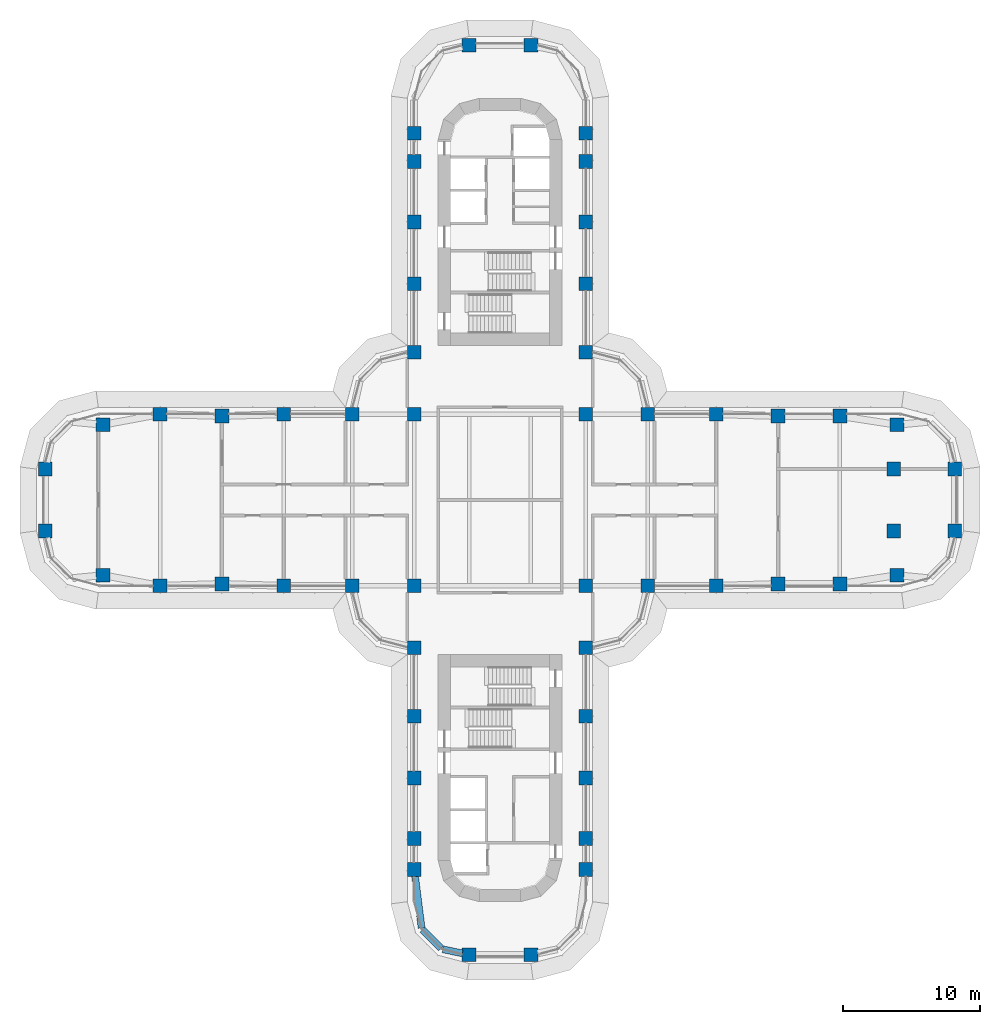
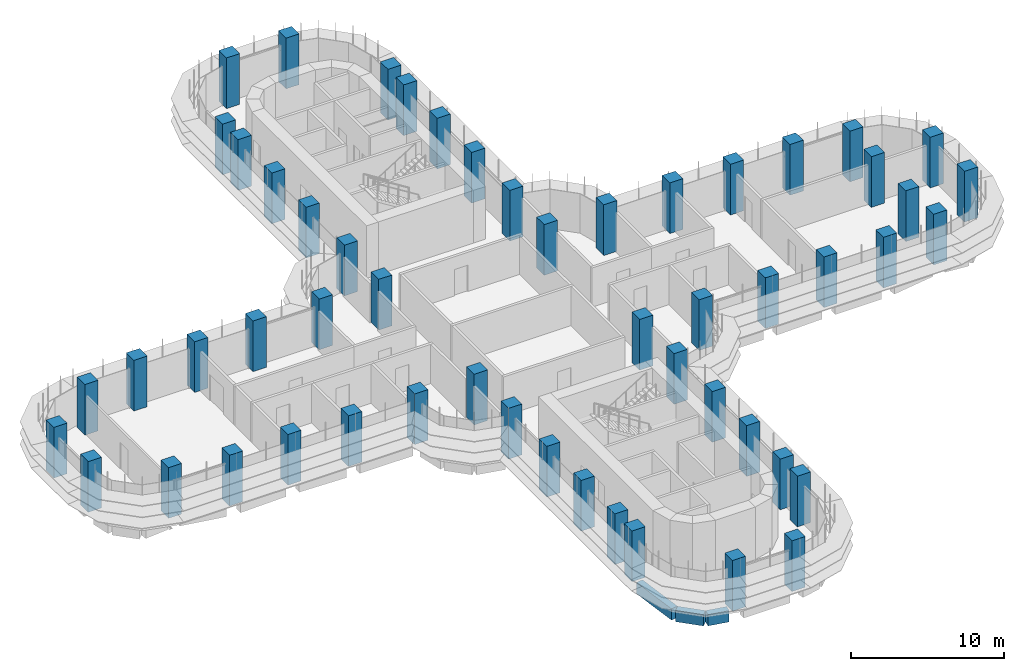
# One storey, part 1 of 23: 54 columns, 3 beams.
"""IFC4 building model written with IfcOpenShell, lengths in metres."""

from ifc_helpers import new_model, si_unit, direction, frame, origin, origin_2d, place, context, subcontext, project, spatial, rectangle, extrude, material, material_profile, profile_set, type_object, element, save


model = new_model("IFC4")

# Units and contexts
model_context = context("Model", 3, precision=1e-05, world=origin(), true_north=direction((0.0, 1.0)))
body_context = subcontext(model_context, "Body", "Model", "MODEL_VIEW")
ifc_project = project(units=[si_unit("LENGTHUNIT", "METRE"), si_unit("AREAUNIT", "SQUARE_METRE"), si_unit("VOLUMEUNIT", "CUBIC_METRE"), si_unit("PLANEANGLEUNIT", "RADIAN"), si_unit("MASSUNIT", "GRAM", prefix="KILO")], contexts=[model_context])

# Site, building, storey
site_placement = place(None, origin())
site = spatial("IfcSite", under=ifc_project, at=site_placement, CompositionType="ELEMENT")
building_placement = place(site_placement, origin())
building = spatial("IfcBuilding", under=site, at=building_placement, Name="Zarbagh Exchange Tower", CompositionType="ELEMENT")
storey_placement = place(building_placement, frame((0.0, 0.0, 52.199951171875)))
storey = spatial("IfcBuildingStorey", under=building, at=storey_placement, Name="L11", CompositionType="ELEMENT", Elevation=52.199951171875)

# Columns
ifc_material = material(Name="Concrete C60/75", Category="concrete")
ifc_material_profile_1 = material_profile(ifc_material, rectangle(XDim=1.0, YDim=1.0, at=origin_2d()), Name="RC column 1000 x 1000 C60/75")
ifc_profile_set_1 = profile_set([ifc_material_profile_1], Name="Concrete C60/75")
column_type = type_object("IfcColumnType", Name="RC column 1000 x 1000 C60/75", PredefinedType="COLUMN", material=ifc_profile_set_1)
for number, where, z_axis, x_axis, name in (
    (1, (-33.110107421875, -2.25, 0.0), (0.0, 0.0, 1.0), (1.0, 0.0, 0.0), "C2 10/S"),
    (2, (-33.110107421875, 2.25, 0.0), (0.0, 0.0, 1.0), (1.0, 0.0, 0.0), "C2 10/T"),
    (3, (-28.907958984375, -5.47509765625, 0.0), (0.0, 0.0, 1.0), (1.0, 0.0, 0.0), "C2 11/R"),
    (4, (-28.907958984375, 5.47509765625, 0.0), (0.0, 0.0, 1.0), (1.0, 0.0, 0.0), "C2 11/U"),
    (5, (-24.75, -6.25, 0.0), (0.0, 0.0, 1.0), (1.0, 0.0, 0.0), "C2 12/R"),
    (6, (-24.75, 6.25, 0.0), (0.0, 0.0, 1.0), (1.0, 0.0, 0.0), "C2 12/U"),
    (7, (-20.25, -6.110107421875, 0.0), (0.0, 0.0, 1.0), (1.0, 0.0, 0.0), "C2 13/R"),
    (8, (-20.25, 6.110107421875, 0.0), (0.0, 0.0, 1.0), (1.0, 0.0, 0.0), "C2 13/U"),
    (9, (-15.75, -6.25, 0.0), (0.0, 0.0, 1.0), (1.0, 0.0, 0.0), "C2 14/R"),
    (10, (-15.75, 6.25, 0.0), (0.0, 0.0, 1.0), (1.0, 0.0, 0.0), "C2 14/U"),
    (11, (-10.75, -6.25, 0.0), (0.0, 0.0, 1.0), (1.0, 0.0, 0.0), "C2 15/R"),
    (12, (-10.75, 6.25, 0.0), (0.0, 0.0, 1.0), (1.0, 0.0, 0.0), "C2 15/U"),
    (13, (-6.25, -26.89990234375, 0.0), (0.0, 0.0, 1.0), (1.0, 0.0, 0.0), "C2 16/L"),
    (14, (-6.25, -24.64990234375, 0.0), (0.0, 0.0, 1.0), (1.0, 0.0, 0.0), "C2 16/M"),
    (15, (-6.25, -20.25, 0.0), (0.0, 0.0, 1.0), (1.0, 0.0, 0.0), "C2 16/N"),
    (16, (-6.25, -15.75, 0.0), (0.0, 0.0, 1.0), (1.0, 0.0, 0.0), "C2 16/P"),
    (17, (-6.25, -10.75, 0.0), (0.0, 0.0, 1.0), (1.0, 0.0, 0.0), "C2 16/Q"),
    (18, (-6.25, -6.25, 0.0), (0.0, 0.0, 1.0), (1.0, 0.0, 0.0), "C2 16/R"),
    (19, (-6.25, 6.25, 0.0), (0.0, 0.0, 1.0), (1.0, 0.0, 0.0), "C2 16/U"),
    (20, (-6.25, 10.75, 0.0), (0.0, 0.0, 1.0), (1.0, 0.0, 0.0), "C2 16/V"),
    (21, (-6.25, 15.75, 0.0), (0.0, 0.0, 1.0), (1.0, 0.0, 0.0), "C2 16/W"),
    (22, (-6.25, 20.25, 0.0), (0.0, 0.0, 1.0), (1.0, 0.0, 0.0), "C2 16/X"),
    (23, (-6.25, 24.64990234375, 0.0), (0.0, 0.0, 1.0), (1.0, 0.0, 0.0), "C2 16/Y"),
    (24, (-6.25, 26.699951171875, 0.0), (0.0, 0.0, 1.0), (1.0, 0.0, 0.0), "C2 16/Z"),
    (25, (-2.25, -33.110107421875, 0.0), (0.0, 0.0, 1.0), (1.0, 0.0, 0.0), "C2 17/K"),
    (26, (-2.25, 33.110107421875, 0.0), (0.0, 0.0, 1.0), (1.0, 0.0, 0.0), "C2 17/AA"),
    (27, (2.25, -33.110107421875, 0.0), (0.0, 0.0, 1.0), (1.0, 0.0, 0.0), "C2 18/K"),
    (28, (2.25, 33.110107421875, 0.0), (0.0, 0.0, 1.0), (1.0, 0.0, 0.0), "C2 18/AA"),
    (29, (6.25, -26.89990234375, 0.0), (0.0, 0.0, 1.0), (1.0, 0.0, 0.0), "C2 19/L"),
    (30, (6.25, -24.64990234375, 0.0), (0.0, 0.0, 1.0), (1.0, 0.0, 0.0), "C2 19/M"),
    (31, (6.25, -20.25, 0.0), (0.0, 0.0, 1.0), (1.0, 0.0, 0.0), "C2 19/N"),
    (32, (6.25, -15.75, 0.0), (0.0, 0.0, 1.0), (1.0, 0.0, 0.0), "C2 19/P"),
    (33, (6.25, -10.75, 0.0), (0.0, 0.0, 1.0), (1.0, 0.0, 0.0), "C2 19/Q"),
    (34, (6.25, -6.25, 0.0), (0.0, 0.0, 1.0), (1.0, 0.0, 0.0), "C2 19/R"),
    (35, (6.25, 6.25, 0.0), (0.0, 0.0, 1.0), (1.0, 0.0, 0.0), "C2 19/U"),
    (36, (6.25, 10.75, 0.0), (0.0, 0.0, 1.0), (1.0, 0.0, 0.0), "C2 19/V"),
    (37, (6.25, 15.75, 0.0), (0.0, 0.0, 1.0), (1.0, 0.0, 0.0), "C2 19/W"),
    (38, (6.25, 20.25, 0.0), (0.0, 0.0, 1.0), (1.0, 0.0, 0.0), "C2 19/X"),
    (39, (6.25, 24.64990234375, 0.0), (0.0, 0.0, 1.0), (1.0, 0.0, 0.0), "C2 19/Y"),
    (40, (6.25, 26.699951171875, 0.0), (0.0, 0.0, 1.0), (1.0, 0.0, 0.0), "C2 19/Z"),
    (41, (10.75, -6.25, 0.0), (0.0, 0.0, 1.0), (1.0, 0.0, 0.0), "C2 20/R"),
    (42, (10.75, 6.25, 0.0), (0.0, 0.0, 1.0), (1.0, 0.0, 0.0), "C2 20/U"),
    (43, (15.75, -6.25, 0.0), (0.0, 0.0, 1.0), (1.0, 0.0, 0.0), "C2 21/R"),
    (44, (15.75, 6.25, 0.0), (0.0, 0.0, 1.0), (1.0, 0.0, 0.0), "C2 21/U"),
    (45, (20.25, -6.110107421875, 0.0), (0.0, 0.0, 1.0), (1.0, 0.0, 0.0), "C2 22/R"),
    (46, (20.25, 6.110107421875, 0.0), (0.0, 0.0, 1.0), (1.0, 0.0, 0.0), "C2 22/U"),
    (47, (24.75, -6.110107421875, 0.0), (0.0, 0.0, 1.0), (1.0, 0.0, 0.0), "C2 23/R"),
    (48, (24.75, 6.110107421875, 0.0), (0.0, 0.0, 1.0), (1.0, 0.0, 0.0), "C2 23/U"),
    (49, (28.907958984375, -5.47509765625, 0.0), (0.0, 0.0, 1.0), (1.0, 0.0, 0.0), "C2 24/R"),
    (50, (28.669921875, -2.25, 0.0), (0.0, 0.0, 1.0), (1.0, 0.0, 0.0), "C2 24/S"),
    (51, (28.669921875, 2.25, 0.0), (0.0, 0.0, 1.0), (1.0, 0.0, 0.0), "C2 24/T"),
    (52, (28.907958984375, 5.47509765625, 0.0), (0.0, 0.0, 1.0), (1.0, 0.0, 0.0), "C2 24/U"),
    (53, (33.110107421875, -2.25, 0.0), (0.0, 0.0, 1.0), (1.0, 0.0, 0.0), "C2 25/S"),
    (54, (33.110107421875, 2.25, 0.0), (0.0, 0.0, 1.0), (1.0, 0.0, 0.0), "C2 25/T"),
):
    element("IfcColumn", number, at=place(storey_placement, frame(where, z_axis=z_axis, x_axis=x_axis)), inside=storey, type_object=column_type, Name=name, PredefinedType="COLUMN", context=body_context, shape_type="SweptSolid", body=[
        extrude(rectangle(XDim=1.0, YDim=1.0, at=origin_2d()), origin(), (0.0, 0.0, 1.0), 4.050048828125),
    ])

# Beams
ifc_material_profile_2 = material_profile(ifc_material, rectangle(XDim=0.5, YDim=0.89990234375, at=origin_2d()), Name="RC spandrel beam 500 x 900 C60/75")
ifc_profile_set_2 = profile_set([ifc_material_profile_2], Name="Concrete C60/75")
beam_type = type_object("IfcBeamType", Name="RC spandrel beam 500 x 900 C60/75", PredefinedType="SPANDREL", material=ifc_profile_set_2)
beam_1_placement = place(storey_placement, frame((-2.73974609375, -33.0087890625, -0.599853515625), z_axis=(-0.9793713725, 0.202068589164, 0.0), x_axis=(-0.202068589164, -0.9793713725, 0.0)))
element("IfcBeam", 55, at=beam_1_placement, inside=storey, type_object=beam_type, Name="RC spandrel beam", PredefinedType="SPANDREL", context=body_context, shape_type="SweptSolid", body=[
    extrude(rectangle(XDim=0.5, YDim=0.89990234375, at=origin_2d()), origin(), (0.0, 0.0, 1.0), 1.458251953125),
])
beam_2_placement = place(storey_placement, frame((-4.294189453125, -32.64599609375, -0.599853515625), z_axis=(-0.707042571718, 0.707170984825, 0.0), x_axis=(-0.707170984825, -0.707042571718, 0.0)))
element("IfcBeam", 56, at=beam_2_placement, inside=storey, type_object=beam_type, Name="RC spandrel beam", PredefinedType="SPANDREL", context=body_context, shape_type="SweptSolid", body=[
    extrude(rectangle(XDim=0.5, YDim=0.89990234375, at=origin_2d()), origin(), (0.0, 0.0, 1.0), 1.901123046875),
])
beam_3_placement = place(storey_placement, frame((-5.709716796875, -31.156494140625, -0.599853515625), z_axis=(-0.12591317752, 0.992041265133, 0.0), x_axis=(-0.992041265133, -0.12591317752, 0.0)))
element("IfcBeam", 57, at=beam_3_placement, inside=storey, type_object=beam_type, Name="RC spandrel beam", PredefinedType="SPANDREL", context=body_context, shape_type="SweptSolid", body=[
    extrude(rectangle(XDim=0.5, YDim=0.89990234375, at=origin_2d()), origin(), (0.0, 0.0, 1.0), 3.790771484375),
])

save(model, "model.ifc")
